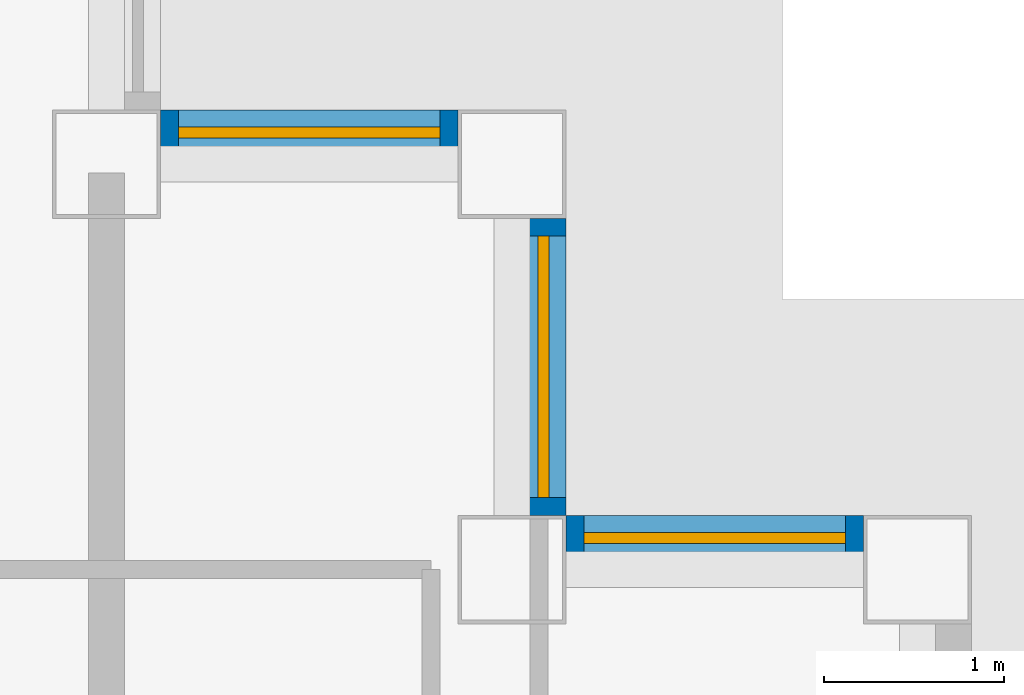
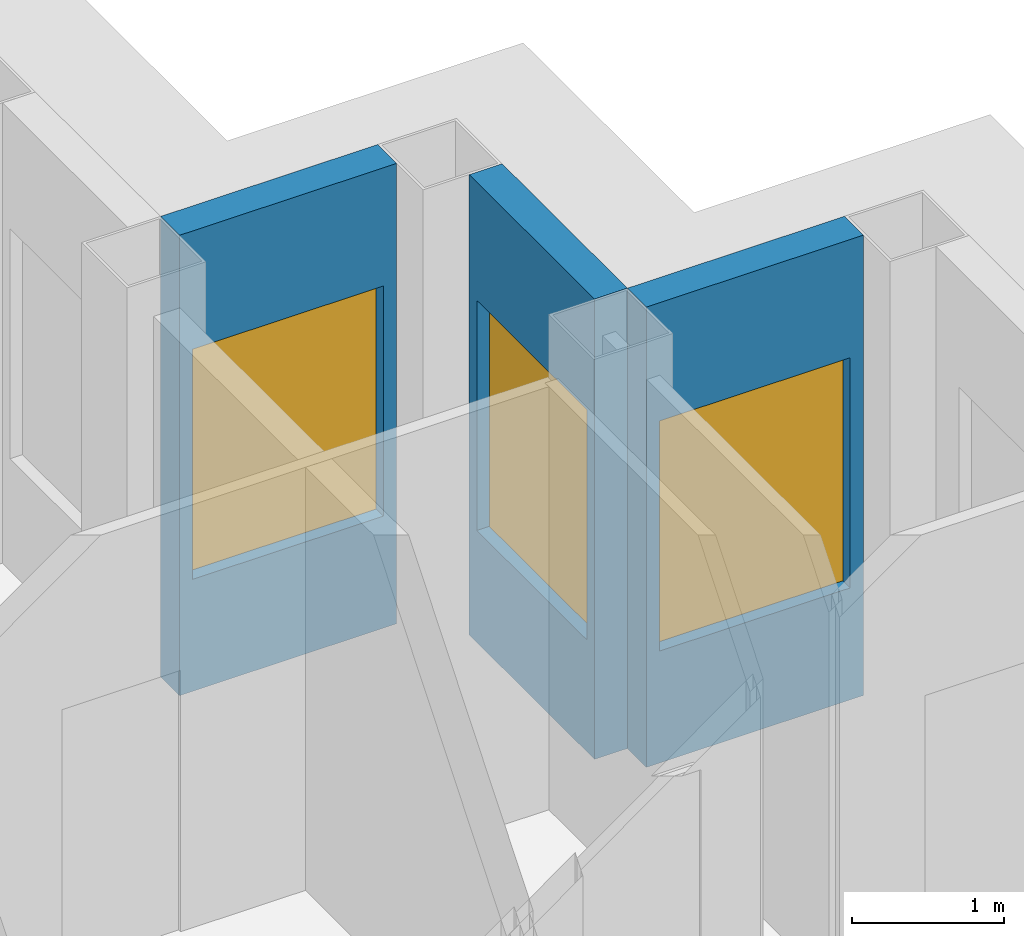
# One storey, part 6 of 11: 3 walls, 3 windows, 3 openings.
"""IFC4 building model written with IfcOpenShell, lengths in metres."""

from ifc_helpers import new_model, si_unit, direction, frame, frame_2d, origin, place, context, subcontext, project, spatial, rectangle, extrude, material, layer, layer_set, type_object, element, fill, save


model = new_model("IFC4")

# Units and contexts
model_context = context("Model", 3, precision=1e-05, world=origin(), true_north=direction((0.0, 1.0)))
body_context = subcontext(model_context, "Body", "Model", "MODEL_VIEW")
ifc_project = project(units=[si_unit("LENGTHUNIT", "METRE"), si_unit("AREAUNIT", "SQUARE_METRE"), si_unit("VOLUMEUNIT", "CUBIC_METRE"), si_unit("PLANEANGLEUNIT", "RADIAN"), si_unit("MASSUNIT", "GRAM", prefix="KILO")], contexts=[model_context])

# Site, building, storey
site_placement = place(None, origin())
site = spatial("IfcSite", under=ifc_project, at=site_placement, CompositionType="ELEMENT")
building_placement = place(site_placement, origin())
building = spatial("IfcBuilding", under=site, at=building_placement, Name="Caravel Reach Hotel and Residences", CompositionType="ELEMENT")
storey_placement = place(building_placement, frame((0.0, 0.0, 298.199951171875)))
storey = spatial("IfcBuildingStorey", under=building, at=storey_placement, Name="L76", CompositionType="ELEMENT", Elevation=298.199951171875)

# Wall, opening, window
ifc_material_1 = material(Name="Insulated rainscreen wall, aluminium cladding", Category="aluminium")
ifc_layer = layer(ifc_material_1, 0.25)
ifc_layer_set = layer_set([ifc_layer], Name="EW1 Tower rainscreen wall")
wall_type = type_object("IfcWallType", Name="EW1 Tower rainscreen wall", PredefinedType="SOLIDWALL", material=ifc_layer_set)
wall_1_placement = place(storey_placement, frame((49.199951171875, 36.175048828125, 0.0), z_axis=(0.0, 0.0, 1.0), x_axis=(-1.0, 0.0, 0.0)))
wall_1 = element("IfcWall", 1, at=wall_1_placement, inside=storey, type_object=wall_type, Name="External wall L76 N6.1", PredefinedType="SOLIDWALL", context=body_context, shape_type="SweptSolid", body=[
    extrude(rectangle(XDim=1.64990234375, YDim=0.25, at=frame_2d((0.824951171875, 0.0))), origin(), (0.0, 0.0, 1.0), 3.699951171875),
])
opening_1_placement = place(wall_1_placement, frame((0.10009765625, 0.0, 0.89990234375)))
opening_1 = element("IfcOpeningElement", 2, at=opening_1_placement, cuts=wall_1, Name="Opening WN25", PredefinedType="OPENING", context=body_context, shape_type="SweptSolid", body=[
    extrude(rectangle(XDim=1.449951171875, YDim=1.85009765625, at=frame_2d((0.72509765625, 0.925048828125))), frame((0.0, 0.135009765625, 0.0), z_axis=(0.0, -1.0, 0.0), x_axis=(1.0, 0.0, 0.0)), (0.0, 0.0, 1.0), 0.27001953125),
])
ifc_material_2 = material(Name="Dark low-e glazing in black aluminium frame", Category="aluminium")
window_type = type_object("IfcWindowType", Name="Residence bedroom window 1450 x 1850", PartitioningType="SINGLE_PANEL", PredefinedType="WINDOW", material=ifc_material_2)
window_1_placement = place(opening_1_placement, origin())
window_1 = element("IfcWindow", 3, at=window_1_placement, inside=storey, type_object=window_type, Name="Window L76 N6.1.1", OverallHeight=1.85009765625, OverallWidth=1.449951171875, PartitioningType="SINGLE_PANEL", PredefinedType="WINDOW", context=body_context, shape_type="SweptSolid", body=[
    extrude(rectangle(XDim=1.449951171875, YDim=1.85009765625, at=frame_2d((0.72509765625, 0.925048828125))), frame((0.0, 0.030029296875, 0.0), z_axis=(0.0, -1.0, 0.0), x_axis=(1.0, 0.0, 0.0)), (0.0, 0.0, 1.0), 0.06005859375),
])
fill(opening_1, window_1)

wall_2_placement = place(storey_placement, frame((47.425048828125, 36.300048828125, 0.0), z_axis=(0.0, 0.0, 1.0), x_axis=(0.0, 1.0, 0.0)))
wall_2 = element("IfcWall", 4, at=wall_2_placement, inside=storey, type_object=wall_type, Name="External wall L76 E7.1", PredefinedType="SOLIDWALL", context=body_context, shape_type="SweptSolid", body=[
    extrude(rectangle(XDim=1.64990234375, YDim=0.25, at=frame_2d((0.824951171875, 0.0))), origin(), (0.0, 0.0, 1.0), 3.699951171875),
])
opening_2_placement = place(wall_2_placement, frame((0.10009765625, 0.0, 0.89990234375)))
opening_2 = element("IfcOpeningElement", 5, at=opening_2_placement, cuts=wall_2, Name="Opening WN25", PredefinedType="OPENING", context=body_context, shape_type="SweptSolid", body=[
    extrude(rectangle(XDim=1.449951171875, YDim=1.85009765625, at=frame_2d((0.72509765625, 0.925048828125))), frame((0.0, 0.135009765625, 0.0), z_axis=(0.0, -1.0, 0.0), x_axis=(1.0, 0.0, 0.0)), (0.0, 0.0, 1.0), 0.27001953125),
])
window_2_placement = place(opening_2_placement, origin())
window_2 = element("IfcWindow", 6, at=window_2_placement, inside=storey, type_object=window_type, Name="Window L76 E7.1.1", OverallHeight=1.85009765625, OverallWidth=1.449951171875, PartitioningType="SINGLE_PANEL", PredefinedType="WINDOW", context=body_context, shape_type="SweptSolid", body=[
    extrude(rectangle(XDim=1.449951171875, YDim=1.85009765625, at=frame_2d((0.72509765625, 0.925048828125))), frame((0.0, 0.030029296875, 0.0), z_axis=(0.0, -1.0, 0.0), x_axis=(1.0, 0.0, 0.0)), (0.0, 0.0, 1.0), 0.06005859375),
])
fill(opening_2, window_2)

wall_3_placement = place(storey_placement, frame((46.949951171875, 38.425048828125, 0.0), z_axis=(0.0, 0.0, 1.0), x_axis=(-1.0, 0.0, 0.0)))
wall_3 = element("IfcWall", 7, at=wall_3_placement, inside=storey, type_object=wall_type, Name="External wall L76 N8.1", PredefinedType="SOLIDWALL", context=body_context, shape_type="SweptSolid", body=[
    extrude(rectangle(XDim=1.64990234375, YDim=0.25, at=frame_2d((0.824951171875, 0.0))), origin(), (0.0, 0.0, 1.0), 3.699951171875),
])
opening_3_placement = place(wall_3_placement, frame((0.10009765625, 0.0, 0.89990234375)))
opening_3 = element("IfcOpeningElement", 8, at=opening_3_placement, cuts=wall_3, Name="Opening WN25", PredefinedType="OPENING", context=body_context, shape_type="SweptSolid", body=[
    extrude(rectangle(XDim=1.449951171875, YDim=1.85009765625, at=frame_2d((0.72509765625, 0.925048828125))), frame((0.0, 0.135009765625, 0.0), z_axis=(0.0, -1.0, 0.0), x_axis=(1.0, 0.0, 0.0)), (0.0, 0.0, 1.0), 0.27001953125),
])
window_3_placement = place(opening_3_placement, origin())
window_3 = element("IfcWindow", 9, at=window_3_placement, inside=storey, type_object=window_type, Name="Window L76 N8.1.1", OverallHeight=1.85009765625, OverallWidth=1.449951171875, PartitioningType="SINGLE_PANEL", PredefinedType="WINDOW", context=body_context, shape_type="SweptSolid", body=[
    extrude(rectangle(XDim=1.449951171875, YDim=1.85009765625, at=frame_2d((0.72509765625, 0.925048828125))), frame((0.0, 0.030029296875, 0.0), z_axis=(0.0, -1.0, 0.0), x_axis=(1.0, 0.0, 0.0)), (0.0, 0.0, 1.0), 0.06005859375),
])
fill(opening_3, window_3)

save(model, "model.ifc")
